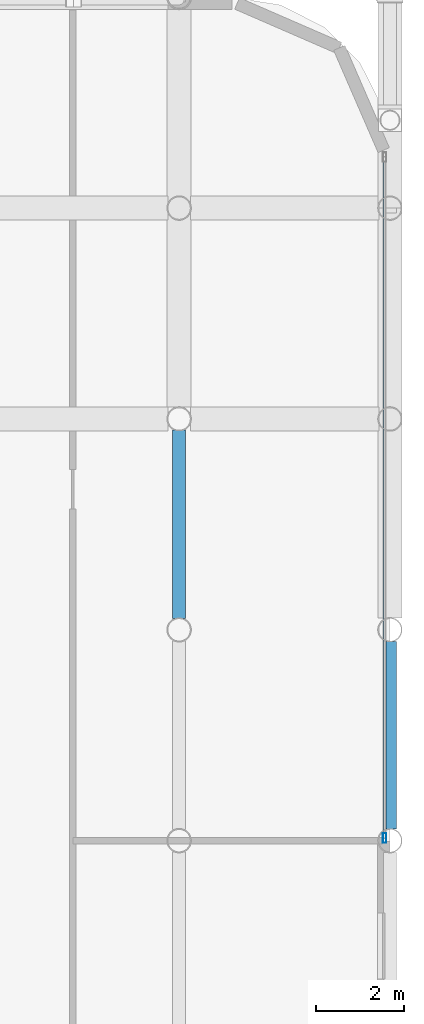
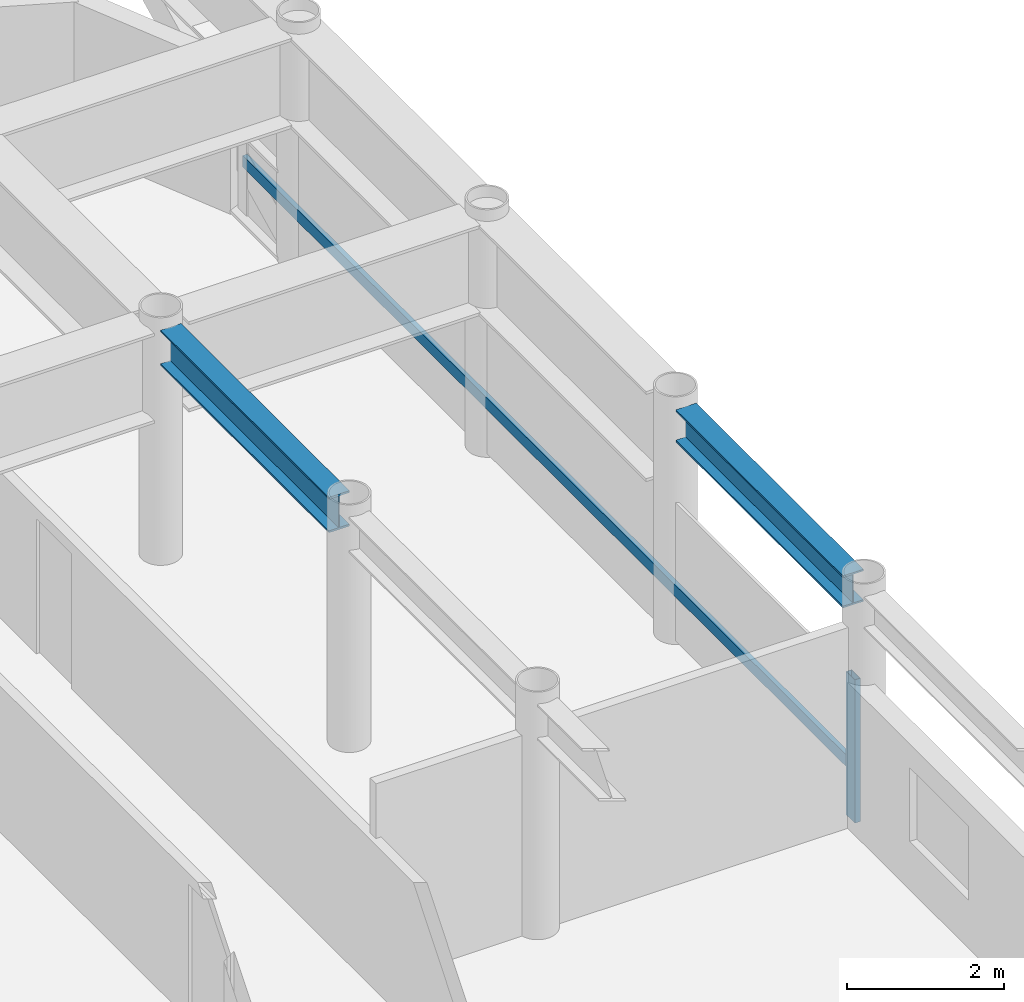
# One storey, part 11 of 24: 2 beams, 2 members, 1 element without a shape of its own.
"""IFC4 building model written with IfcOpenShell, lengths in metres."""

from ifc_helpers import new_model, si_unit, direction, frame, origin, origin_2d, place, context, subcontext, project, spatial, hollow_rectangle, i_section, extrude, material, layer, layer_set, material_profile, profile_set, type_object, element, aggregate, save


model = new_model("IFC4")

# Units and contexts
model_context = context("Model", 3, precision=1e-05, world=origin(), true_north=direction((0.0, 1.0)))
body_context = subcontext(model_context, "Body", "Model", "MODEL_VIEW")
ifc_project = project(units=[si_unit("LENGTHUNIT", "METRE"), si_unit("AREAUNIT", "SQUARE_METRE"), si_unit("VOLUMEUNIT", "CUBIC_METRE"), si_unit("PLANEANGLEUNIT", "RADIAN"), si_unit("MASSUNIT", "GRAM", prefix="KILO")], contexts=[model_context])

# Site, building, storey
site_placement = place(None, origin())
site = spatial("IfcSite", under=ifc_project, at=site_placement, CompositionType="ELEMENT")
building_placement = place(site_placement, origin())
building = spatial("IfcBuilding", under=site, at=building_placement, Name="Kallvorn Hotel Tower", CompositionType="ELEMENT")
storey_placement = place(building_placement, frame((0.0, 0.0, 218.449951171875)))
storey = spatial("IfcBuildingStorey", under=building, at=storey_placement, Name="L54", CompositionType="ELEMENT", Elevation=218.449951171875)

# Beams
ifc_material_1 = material(Name="Structural steel S355JR", Category="steel")
ifc_material_profile_1 = material_profile(ifc_material_1, i_section(OverallWidth=0.300048828125, OverallDepth=0.5, WebThickness=0.014404296875, FlangeThickness=0.028076171875, at=origin_2d()), Name="HE 500 B")
ifc_profile_set_1 = profile_set([ifc_material_profile_1], Name="Structural steel S355JR")
beam_type_1 = type_object("IfcBeamType", Name="BM_HE500B", PredefinedType="SPANDREL", material=ifc_profile_set_1)
beam_1_placement = place(storey_placement, frame((33.60009765625, 0.26953125, 3.420166015625), z_axis=(0.0, 1.0, 0.0), x_axis=(-1.0, 0.0, 0.0)))
element("IfcBeam", 1, at=beam_1_placement, inside=storey, type_object=beam_type_1, Name="L55 Perimeter Spandrel 198", PredefinedType="SPANDREL", context=body_context, shape_type="SweptSolid", body=[
    extrude(i_section(OverallWidth=0.300048828125, OverallDepth=0.5, WebThickness=0.014404296875, FlangeThickness=0.028076171875, at=origin_2d()), origin(), (0.0, 0.0, 1.0), 4.260986328125),
])
ifc_material_2 = material(Name="Structural steel S355JR", Category="steel")
ifc_material_profile_2 = material_profile(ifc_material_2, i_section(OverallWidth=0.300048828125, OverallDepth=0.550048828125, WebThickness=0.014892578125, FlangeThickness=0.029052734375, at=origin_2d()), Name="HE 550 B")
ifc_profile_set_2 = profile_set([ifc_material_profile_2], Name="Structural steel S355JR")
beam_type_2 = type_object("IfcBeamType", Name="BM_HE550B", PredefinedType="SPANDREL", material=ifc_profile_set_2)
beam_2_placement = place(storey_placement, frame((28.800048828125, 5.054443359375, 3.39501953125), z_axis=(0.0, 1.0, 0.0), x_axis=(-1.0, 0.0, 0.0)))
element("IfcBeam", 2, at=beam_2_placement, inside=storey, type_object=beam_type_2, Name="L55 Primary Y-Girder 161", PredefinedType="SPANDREL", context=body_context, shape_type="SweptSolid", body=[
    extrude(i_section(OverallWidth=0.300048828125, OverallDepth=0.550048828125, WebThickness=0.014892578125, FlangeThickness=0.029052734375, at=origin_2d()), origin(), (0.0, 0.0, 1.0), 4.291015625),
])

# Curtain wall, members
ifc_material_3 = material(Name="Thermally broken black-anodised aluminium AA 6063-T6", Category="aluminium")
ifc_layer = layer(ifc_material_3, 0.22998046875)
ifc_layer_set = layer_set([ifc_layer], Name="CW_SYS_5_HOTEL_HIGH")
curtain_wall_type = type_object("IfcCurtainWallType", Name="CW_SYS_5_HOTEL_HIGH", PredefinedType="USERDEFINED", material=ifc_layer_set)
curtain_wall_placement = place(storey_placement, origin())
curtain_wall = element("IfcCurtainWall", 3, at=curtain_wall_placement, inside=storey, type_object=curtain_wall_type, Name="L54 Dark-Glass Curtain Wall CW-L54-EN", ObjectType="UNITISED CURTAIN WALL", PredefinedType="USERDEFINED")
ifc_material_4 = material(Name="Thermally broken black-anodised aluminium AA 6063-T6", Category="aluminium")
ifc_material_profile_3 = material_profile(ifc_material_4, hollow_rectangle(XDim=0.080078125, YDim=0.219970703125, WallThickness=0.0048828125, at=origin_2d()), Name="MUL 220x80")
ifc_profile_set_3 = profile_set([ifc_material_profile_3], Name="Thermally broken black-anodised aluminium AA 6063-T6")
member_type_1 = type_object("IfcMemberType", Name="CW_MULLION_220x80", PredefinedType="MULLION", material=ifc_profile_set_3)
member_1_placement = place(storey_placement, frame((33.47998046875, 0.06005859375, 0.02001953125), z_axis=(0.0, 0.0, 1.0), x_axis=(1.0, 0.0, 0.0)))
member_1 = element("IfcMember", 4, at=member_1_placement, type_object=member_type_1, Name="CW-L54-EN Mullion 00", PredefinedType="MULLION", context=body_context, shape_type="SweptSolid", body=[
    extrude(hollow_rectangle(XDim=0.080078125, YDim=0.219970703125, WallThickness=0.0048828125, at=origin_2d()), origin(), (0.0, 0.0, 1.0), 2.22998046875),
])
ifc_material_5 = material(Name="Thermally broken black-anodised aluminium AA 6063-T6", Category="aluminium")
ifc_material_profile_4 = material_profile(ifc_material_5, hollow_rectangle(XDim=0.070068359375, YDim=0.179931640625, WallThickness=0.00390625, at=origin_2d()), Name="TRN 180x70")
ifc_profile_set_4 = profile_set([ifc_material_profile_4], Name="Thermally broken black-anodised aluminium AA 6063-T6")
member_type_2 = type_object("IfcMemberType", Name="CW_TRANSOM_180x70", PredefinedType="USERDEFINED", material=ifc_profile_set_4)
member_2_placement = place(storey_placement, frame((33.47998046875, 0.06005859375, 0.85009765625), z_axis=(0.0, 1.0, 0.0), x_axis=(-1.0, 0.0, 0.0)))
member_2 = element("IfcMember", 5, at=member_2_placement, type_object=member_type_2, Name="CW-L54-EN Transom 00M", ObjectType="TRANSOM", PredefinedType="USERDEFINED", context=body_context, shape_type="SweptSolid", body=[
    extrude(hollow_rectangle(XDim=0.070068359375, YDim=0.179931640625, WallThickness=0.00390625, at=origin_2d()), origin(), (0.0, 0.0, 1.0), 15.5),
])
aggregate(curtain_wall, [member_1, member_2])

save(model, "model.ifc")
